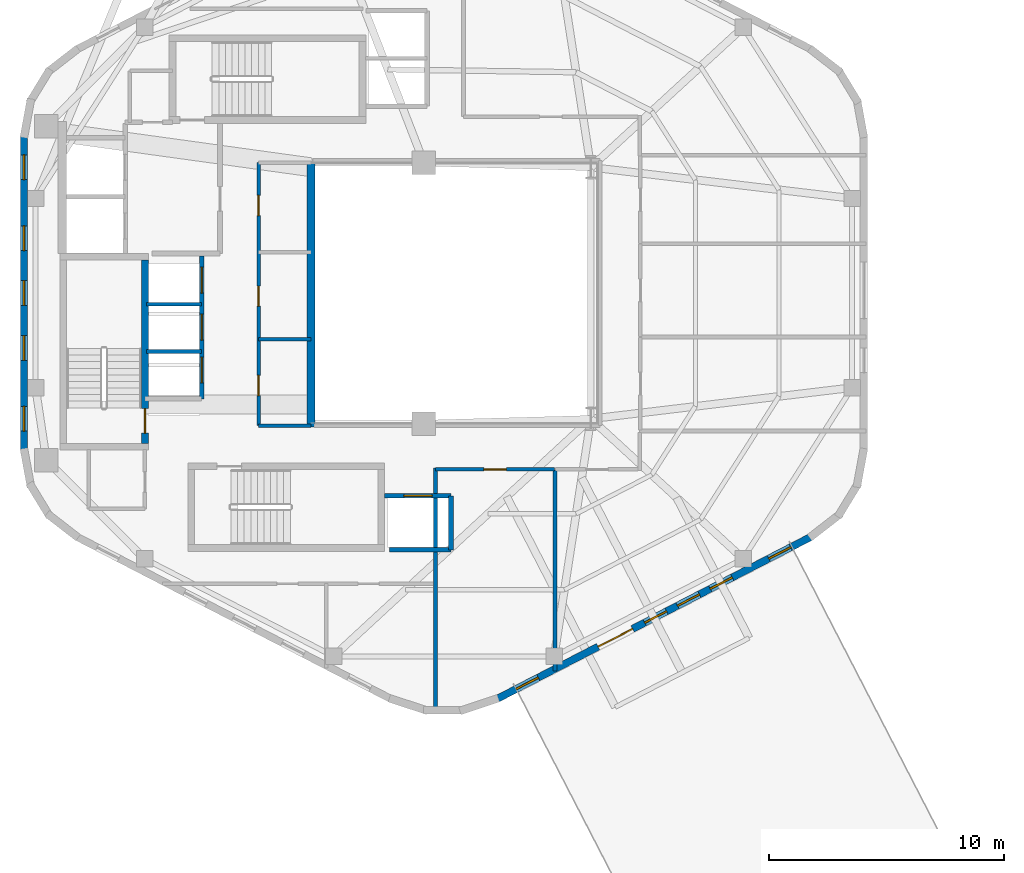
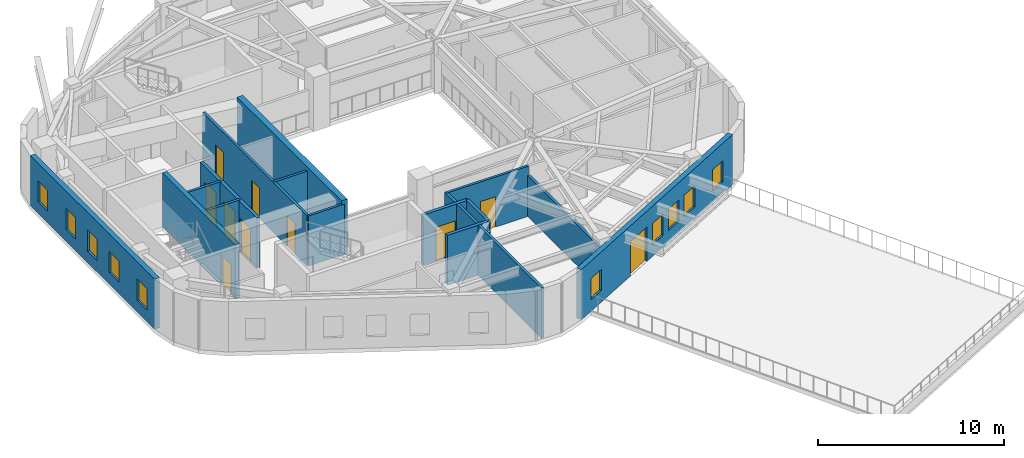
# One storey, part 3 of 8: 16 walls, 10 doors, 10 windows, 20 openings.
"""IFC4 building model written with IfcOpenShell, lengths in metres."""

from ifc_helpers import new_model, si_unit, direction, frame, frame_2d, origin, place, context, subcontext, project, spatial, rectangle, extrude, material, layer, layer_set, type_object, element, fill, save


model = new_model("IFC4")

# Units and contexts
model_context = context("Model", 3, precision=1e-05, world=origin(), true_north=direction((0.0, 1.0)))
body_context = subcontext(model_context, "Body", "Model", "MODEL_VIEW")
ifc_project = project(units=[si_unit("LENGTHUNIT", "METRE"), si_unit("AREAUNIT", "SQUARE_METRE"), si_unit("VOLUMEUNIT", "CUBIC_METRE"), si_unit("PLANEANGLEUNIT", "RADIAN"), si_unit("MASSUNIT", "GRAM", prefix="KILO"), si_unit("THERMODYNAMICTEMPERATUREUNIT", "KELVIN"), si_unit("POWERUNIT", "WATT")], contexts=[model_context])

# Site, building, storey
site_placement = place(None, origin())
site = spatial("IfcSite", under=ifc_project, at=site_placement, CompositionType="ELEMENT")
building_placement = place(site_placement, origin())
building = spatial("IfcBuilding", under=site, at=building_placement, Name="Skarre Station Tower", CompositionType="ELEMENT")
storey_placement = place(building_placement, frame((0.0, 0.0, 245.449951171875)))
storey = spatial("IfcBuildingStorey", under=building, at=storey_placement, Name="L67", CompositionType="ELEMENT", Elevation=245.449951171875)

# Wall
ifc_material_1 = material(Name="Acoustic Steel-Stud Gypsum Partition", Category="steel")
ifc_layer_1 = layer(ifc_material_1, 0.14990234375, Name="Acoustic Steel-Stud Gypsum Partition")
ifc_layer_set_1 = layer_set([ifc_layer_1], Name="Acoustic Steel-Stud Gypsum Partition")
wall_type_1 = type_object("IfcWallType", Name="Fire-Rated Corridor Acoustic Partition 150", PredefinedType="PARTITIONING", material=ifc_layer_set_1)
wall_1_placement = place(storey_placement, frame((25.320068359375, 22.0400390625, 0.0), z_axis=(0.0, 0.0, 1.0), x_axis=(1.0, 0.0, 0.0)))
element("IfcWall", 1, at=wall_1_placement, inside=storey, type_object=wall_type_1, Name="L67 Interior Partition WL-PT-L67-RC2-M1", PredefinedType="PARTITIONING", context=body_context, shape_type="SweptSolid", body=[
    extrude(rectangle(XDim=2.22998046875, YDim=0.14990234375, at=frame_2d((1.114990234375, 0.0))), origin(), (0.0, 0.0, 1.0), 3.2900390625),
])

# Wall, openings, doors
wall_2_placement = place(storey_placement, frame((25.320068359375, 29.550048828125, 0.0), z_axis=(0.0, 0.0, 1.0), x_axis=(0.0, -1.0, 0.0)))
wall_2 = element("IfcWall", 2, at=wall_2_placement, inside=storey, type_object=wall_type_1, Name="L67 Interior Partition WL-PT-L67-RC2-W", PredefinedType="PARTITIONING", context=body_context, shape_type="SweptSolid", body=[
    extrude(rectangle(XDim=11.18994140625, YDim=0.14990234375, at=frame_2d((5.594970703125, 0.0))), origin(), (0.0, 0.0, 1.0), 3.2900390625),
])
opening_1_placement = place(wall_2_placement, frame((1.39990234375, 0.0, 0.0)))
opening_1 = element("IfcOpeningElement", 3, at=opening_1_placement, cuts=wall_2, Name="Opening DR-SVC86", PredefinedType="OPENING", context=body_context, shape_type="SweptSolid", body=[
    extrude(rectangle(XDim=0.860107421875, YDim=2.0, at=frame_2d((0.43017578125, 1.0))), frame((0.0, 0.0849609375, 0.0), z_axis=(0.0, -1.0, 0.0), x_axis=(1.0, 0.0, 0.0)), (0.0, 0.0, 1.0), 0.169921875),
])
opening_2_placement = place(wall_2_placement, frame((5.25, 0.0, 0.0)))
opening_2 = element("IfcOpeningElement", 4, at=opening_2_placement, cuts=wall_2, Name="Opening DR-SVC86", PredefinedType="OPENING", context=body_context, shape_type="SweptSolid", body=[
    extrude(rectangle(XDim=0.860107421875, YDim=2.0, at=frame_2d((0.43017578125, 1.0))), frame((0.0, 0.0849609375, 0.0), z_axis=(0.0, -1.0, 0.0), x_axis=(1.0, 0.0, 0.0)), (0.0, 0.0, 1.0), 0.169921875),
])
opening_3_placement = place(wall_2_placement, frame((9.050048828125, 0.0, 0.0)))
opening_3 = element("IfcOpeningElement", 5, at=opening_3_placement, cuts=wall_2, Name="Opening DR-SVC86", PredefinedType="OPENING", context=body_context, shape_type="SweptSolid", body=[
    extrude(rectangle(XDim=0.860107421875, YDim=2.0, at=frame_2d((0.43017578125, 1.0))), frame((0.0, 0.0849609375, 0.0), z_axis=(0.0, -1.0, 0.0), x_axis=(1.0, 0.0, 0.0)), (0.0, 0.0, 1.0), 0.169921875),
])
ifc_material_2 = material(Name="Powder-Coated Hollow-Metal Acoustic Fire Leaf", Category="steel")
door_type_1 = type_object("IfcDoorType", Name="Compact Riser Fire Door FD60 860x2100", OperationType="SINGLE_SWING_LEFT", PredefinedType="DOOR", material=ifc_material_2)
door_1_placement = place(opening_1_placement, origin())
door_1 = element("IfcDoor", 6, at=door_1_placement, inside=storey, type_object=door_type_1, Name="L67 Housekeeping Storage Door", OperationType="SINGLE_SWING_LEFT", OverallHeight=2.0, OverallWidth=0.860107421875, PredefinedType="DOOR", context=body_context, shape_type="SweptSolid", body=[
    extrude(rectangle(XDim=0.860107421875, YDim=2.0, at=frame_2d((0.43017578125, 1.0))), frame((0.0, 0.02490234375, 0.0), z_axis=(0.0, -1.0, 0.0), x_axis=(1.0, 0.0, 0.0)), (0.0, 0.0, 1.0), 0.050048828125),
])
fill(opening_1, door_1)
door_2_placement = place(opening_2_placement, origin())
door_2 = element("IfcDoor", 7, at=door_2_placement, inside=storey, type_object=door_type_1, Name="L67 Core IT Room Door", OperationType="SINGLE_SWING_LEFT", OverallHeight=2.0, OverallWidth=0.860107421875, PredefinedType="DOOR", context=body_context, shape_type="SweptSolid", body=[
    extrude(rectangle(XDim=0.860107421875, YDim=2.0, at=frame_2d((0.43017578125, 1.0))), frame((0.0, 0.02490234375, 0.0), z_axis=(0.0, -1.0, 0.0), x_axis=(1.0, 0.0, 0.0)), (0.0, 0.0, 1.0), 0.050048828125),
])
fill(opening_2, door_2)
door_3_placement = place(opening_3_placement, origin())
door_3 = element("IfcDoor", 8, at=door_3_placement, inside=storey, type_object=door_type_1, Name="L67 Beverage Pantry Door", OperationType="SINGLE_SWING_LEFT", OverallHeight=2.0, OverallWidth=0.860107421875, PredefinedType="DOOR", context=body_context, shape_type="SweptSolid", body=[
    extrude(rectangle(XDim=0.860107421875, YDim=2.0, at=frame_2d((0.43017578125, 1.0))), frame((0.0, 0.02490234375, 0.0), z_axis=(0.0, -1.0, 0.0), x_axis=(1.0, 0.0, 0.0)), (0.0, 0.0, 1.0), 0.050048828125),
])
fill(opening_3, door_3)

# Wall
wall_3_placement = place(storey_placement, frame((25.320068359375, 18.360107421875, 0.0), z_axis=(0.0, 0.0, 1.0), x_axis=(1.0, 0.0, 0.0)))
element("IfcWall", 9, at=wall_3_placement, inside=storey, type_object=wall_type_1, Name="L67 Interior Partition WL-PT-L67-RC2-S", PredefinedType="PARTITIONING", context=body_context, shape_type="SweptSolid", body=[
    extrude(rectangle(XDim=2.22998046875, YDim=0.14990234375, at=frame_2d((1.114990234375, 0.0))), origin(), (0.0, 0.0, 1.0), 3.2900390625),
])

# Wall, opening, door
wall_4_placement = place(storey_placement, frame((32.85009765625, 16.5, 0.0), z_axis=(0.0, 0.0, 1.0), x_axis=(1.0, 0.0, 0.0)))
wall_4 = element("IfcWall", 10, at=wall_4_placement, inside=storey, type_object=wall_type_1, Name="L67 Interior Partition WL-PT-L67-SW1-CW", PredefinedType="PARTITIONING", context=body_context, shape_type="SweptSolid", body=[
    extrude(rectangle(XDim=5.060791015625, YDim=0.14990234375, at=frame_2d((2.5302734375, 0.0))), origin(), (0.0, 0.0, 1.0), 3.2900390625),
])
opening_4_placement = place(wall_4_placement, frame((2.051025390625, 0.0, 0.0)))
opening_4 = element("IfcOpeningElement", 11, at=opening_4_placement, cuts=wall_4, Name="Opening DR-FD60", PredefinedType="OPENING", context=body_context, shape_type="SweptSolid", body=[
    extrude(rectangle(XDim=0.9599609375, YDim=2.0, at=frame_2d((0.47998046875, 1.0))), frame((0.0, 0.0849609375, 0.0), z_axis=(0.0, -1.0, 0.0), x_axis=(1.0, 0.0, 0.0)), (0.0, 0.0, 1.0), 0.169921875),
])
ifc_material_3 = material(Name="Nordic White-Oak Veneer Solid-Core Fire Leaf", Category="wood")
door_type_2 = type_object("IfcDoorType", Name="Corridor Suite Entry Fire Door FD60 960x2150", OperationType="SINGLE_SWING_LEFT", PredefinedType="DOOR", material=ifc_material_3)
door_4_placement = place(opening_4_placement, origin())
door_4 = element("IfcDoor", 12, at=door_4_placement, inside=storey, type_object=door_type_2, Name="L67 SW1 Entry Door", OperationType="SINGLE_SWING_LEFT", OverallHeight=2.0, OverallWidth=0.9599609375, PredefinedType="DOOR", context=body_context, shape_type="SweptSolid", body=[
    extrude(rectangle(XDim=0.9599609375, YDim=2.0, at=frame_2d((0.47998046875, 1.0))), frame((0.0, 0.02490234375, 0.0), z_axis=(0.0, -1.0, 0.0), x_axis=(1.0, 0.0, 0.0)), (0.0, 0.0, 1.0), 0.050048828125),
])
fill(opening_4, door_4)

# Wall, openings, windows
ifc_material_4 = material(Name="Precast concrete C45/55", Category="concrete")
ifc_layer_2 = layer(ifc_material_4, 0.31005859375, Name="Precast concrete C45/55")
ifc_layer_set_2 = layer_set([ifc_layer_2], Name="Precast concrete C45/55")
wall_type_2 = type_object("IfcWallType", Name="Nordic Upper-Zone Precast Facet Wall 310", PredefinedType="STANDARD", material=ifc_layer_set_2)
wall_5_placement = place(storey_placement, frame((15.342041015625, 17.298095703125, 0.0), z_axis=(0.0, 0.0, 1.0), x_axis=(0.0, 1.0, 0.0)))
wall_5 = element("IfcWall", 13, at=wall_5_placement, inside=storey, type_object=wall_type_2, Name="L67 Facet 2 Nordic Precast Masonry Wall", PredefinedType="STANDARD", context=body_context, shape_type="SweptSolid", body=[
    extrude(rectangle(XDim=13.40380859375, YDim=0.31005859375, at=frame_2d((6.701904296875, 0.0))), origin(), (0.0, 0.0, 1.0), 3.2900390625),
])
opening_5_placement = place(wall_5_placement, frame((0.8310546875, 0.0, 0.75)))
opening_5 = element("IfcOpeningElement", 14, at=opening_5_placement, cuts=wall_5, Name="Opening WN-SLT", PredefinedType="OPENING", context=body_context, shape_type="SweptSolid", body=[
    extrude(rectangle(XDim=1.050048828125, YDim=1.39990234375, at=frame_2d((0.52490234375, 0.699951171875))), frame((0.0, 0.1650390625, 0.0), z_axis=(0.0, -1.0, 0.0), x_axis=(1.0, 0.0, 0.0)), (0.0, 0.0, 1.0), 0.330078125),
])
opening_6_placement = place(wall_5_placement, frame((3.843017578125, 0.0, 0.75)))
opening_6 = element("IfcOpeningElement", 15, at=opening_6_placement, cuts=wall_5, Name="Opening WN-SLT", PredefinedType="OPENING", context=body_context, shape_type="SweptSolid", body=[
    extrude(rectangle(XDim=1.050048828125, YDim=1.39990234375, at=frame_2d((0.52490234375, 0.699951171875))), frame((0.0, 0.1650390625, 0.0), z_axis=(0.0, -1.0, 0.0), x_axis=(1.0, 0.0, 0.0)), (0.0, 0.0, 1.0), 0.330078125),
])
opening_7_placement = place(wall_5_placement, frame((6.177001953125, 0.0, 0.75)))
opening_7 = element("IfcOpeningElement", 16, at=opening_7_placement, cuts=wall_5, Name="Opening WN-SLT", PredefinedType="OPENING", context=body_context, shape_type="SweptSolid", body=[
    extrude(rectangle(XDim=1.050048828125, YDim=1.39990234375, at=frame_2d((0.52490234375, 0.699951171875))), frame((0.0, 0.1650390625, 0.0), z_axis=(0.0, -1.0, 0.0), x_axis=(1.0, 0.0, 0.0)), (0.0, 0.0, 1.0), 0.330078125),
])
opening_8_placement = place(wall_5_placement, frame((8.510986328125, 0.0, 0.75)))
opening_8 = element("IfcOpeningElement", 17, at=opening_8_placement, cuts=wall_5, Name="Opening WN-SLT", PredefinedType="OPENING", context=body_context, shape_type="SweptSolid", body=[
    extrude(rectangle(XDim=1.050048828125, YDim=1.39990234375, at=frame_2d((0.52490234375, 0.699951171875))), frame((0.0, 0.1650390625, 0.0), z_axis=(0.0, -1.0, 0.0), x_axis=(1.0, 0.0, 0.0)), (0.0, 0.0, 1.0), 0.330078125),
])
opening_9_placement = place(wall_5_placement, frame((11.52392578125, 0.0, 0.75)))
opening_9 = element("IfcOpeningElement", 18, at=opening_9_placement, cuts=wall_5, Name="Opening WN-SLT", PredefinedType="OPENING", context=body_context, shape_type="SweptSolid", body=[
    extrude(rectangle(XDim=1.050048828125, YDim=1.39990234375, at=frame_2d((0.52490234375, 0.699951171875))), frame((0.0, 0.1650390625, 0.0), z_axis=(0.0, -1.0, 0.0), x_axis=(1.0, 0.0, 0.0)), (0.0, 0.0, 1.0), 0.330078125),
])
ifc_material_5 = material(Name="Low-Iron Triple Glazing with Bronze Anodized Frame", Category="glass")
window_type = type_object("IfcWindowType", Name="Nordic Corner Slot Window 1050x1400", PartitioningType="SINGLE_PANEL", PredefinedType="WINDOW", material=ifc_material_5)
window_1_placement = place(opening_5_placement, origin())
window_1 = element("IfcWindow", 19, at=window_1_placement, inside=storey, type_object=window_type, Name="L67 Facade Window WL-FAC-L67-F2-1", OverallHeight=1.39990234375, OverallWidth=1.050048828125, PartitioningType="SINGLE_PANEL", PredefinedType="WINDOW", context=body_context, shape_type="SweptSolid", body=[
    extrude(rectangle(XDim=1.050048828125, YDim=1.39990234375, at=frame_2d((0.52490234375, 0.699951171875))), frame((0.0, 0.030029296875, 0.0), z_axis=(0.0, -1.0, 0.0), x_axis=(1.0, 0.0, 0.0)), (0.0, 0.0, 1.0), 0.06005859375),
])
fill(opening_5, window_1)
window_2_placement = place(opening_6_placement, origin())
window_2 = element("IfcWindow", 20, at=window_2_placement, inside=storey, type_object=window_type, Name="L67 Facade Window WL-FAC-L67-F2-2", OverallHeight=1.39990234375, OverallWidth=1.050048828125, PartitioningType="SINGLE_PANEL", PredefinedType="WINDOW", context=body_context, shape_type="SweptSolid", body=[
    extrude(rectangle(XDim=1.050048828125, YDim=1.39990234375, at=frame_2d((0.52490234375, 0.699951171875))), frame((0.0, 0.030029296875, 0.0), z_axis=(0.0, -1.0, 0.0), x_axis=(1.0, 0.0, 0.0)), (0.0, 0.0, 1.0), 0.06005859375),
])
fill(opening_6, window_2)
window_3_placement = place(opening_7_placement, origin())
window_3 = element("IfcWindow", 21, at=window_3_placement, inside=storey, type_object=window_type, Name="L67 Facade Window WL-FAC-L67-F2-3", OverallHeight=1.39990234375, OverallWidth=1.050048828125, PartitioningType="SINGLE_PANEL", PredefinedType="WINDOW", context=body_context, shape_type="SweptSolid", body=[
    extrude(rectangle(XDim=1.050048828125, YDim=1.39990234375, at=frame_2d((0.52490234375, 0.699951171875))), frame((0.0, 0.030029296875, 0.0), z_axis=(0.0, -1.0, 0.0), x_axis=(1.0, 0.0, 0.0)), (0.0, 0.0, 1.0), 0.06005859375),
])
fill(opening_7, window_3)
window_4_placement = place(opening_8_placement, origin())
window_4 = element("IfcWindow", 22, at=window_4_placement, inside=storey, type_object=window_type, Name="L67 Facade Window WL-FAC-L67-F2-4", OverallHeight=1.39990234375, OverallWidth=1.050048828125, PartitioningType="SINGLE_PANEL", PredefinedType="WINDOW", context=body_context, shape_type="SweptSolid", body=[
    extrude(rectangle(XDim=1.050048828125, YDim=1.39990234375, at=frame_2d((0.52490234375, 0.699951171875))), frame((0.0, 0.030029296875, 0.0), z_axis=(0.0, -1.0, 0.0), x_axis=(1.0, 0.0, 0.0)), (0.0, 0.0, 1.0), 0.06005859375),
])
fill(opening_8, window_4)
window_5_placement = place(opening_9_placement, origin())
window_5 = element("IfcWindow", 23, at=window_5_placement, inside=storey, type_object=window_type, Name="L67 Facade Window WL-FAC-L67-F2-5", OverallHeight=1.39990234375, OverallWidth=1.050048828125, PartitioningType="SINGLE_PANEL", PredefinedType="WINDOW", context=body_context, shape_type="SweptSolid", body=[
    extrude(rectangle(XDim=1.050048828125, YDim=1.39990234375, at=frame_2d((0.52490234375, 0.699951171875))), frame((0.0, 0.030029296875, 0.0), z_axis=(0.0, -1.0, 0.0), x_axis=(1.0, 0.0, 0.0)), (0.0, 0.0, 1.0), 0.06005859375),
])
fill(opening_9, window_5)

# Wall, openings, windows, door
wall_6_placement = place(storey_placement, frame((48.833984375, 13.64599609375, 0.0), z_axis=(0.0, 0.0, 1.0), x_axis=(-0.888581481622, -0.458718814218, 0.0)))
wall_6 = element("IfcWall", 24, at=wall_6_placement, inside=storey, type_object=wall_type_2, Name="L67 Facet 4 Nordic Precast Masonry Wall", PredefinedType="STANDARD", context=body_context, shape_type="SweptSolid", body=[
    extrude(rectangle(XDim=15.076904296875, YDim=0.31005859375, at=frame_2d((7.53857421875, 0.0))), origin(), (0.0, 0.0, 1.0), 3.2900390625),
])
opening_10_placement = place(wall_6_placement, frame((8.56298828125, 0.0, 0.0)))
opening_10 = element("IfcOpeningElement", 25, at=opening_10_placement, cuts=wall_6, Name="Opening DR-SGD165", PredefinedType="OPENING", context=body_context, shape_type="SweptSolid", body=[
    extrude(rectangle(XDim=1.64990234375, YDim=2.25, at=frame_2d((0.824951171875, 1.125))), frame((0.0, 0.1650390625, 0.0), z_axis=(0.0, -1.0, 0.0), x_axis=(1.0, 0.0, 0.0)), (0.0, 0.0, 1.0), 0.330078125),
])
opening_11_placement = place(wall_6_placement, frame((0.998046875, 0.0, 0.75)))
opening_11 = element("IfcOpeningElement", 26, at=opening_11_placement, cuts=wall_6, Name="Opening WN-SLT", PredefinedType="OPENING", context=body_context, shape_type="SweptSolid", body=[
    extrude(rectangle(XDim=1.050048828125, YDim=1.39990234375, at=frame_2d((0.52490234375, 0.699951171875))), frame((0.0, 0.1650390625, 0.0), z_axis=(0.0, -1.0, 0.0), x_axis=(1.0, 0.0, 0.0)), (0.0, 0.0, 1.0), 0.330078125),
])
opening_12_placement = place(wall_6_placement, frame((3.7958984375, 0.0, 0.75)))
opening_12 = element("IfcOpeningElement", 27, at=opening_12_placement, cuts=wall_6, Name="Opening WN-SLT", PredefinedType="OPENING", context=body_context, shape_type="SweptSolid", body=[
    extrude(rectangle(XDim=1.050048828125, YDim=1.39990234375, at=frame_2d((0.52490234375, 0.699951171875))), frame((0.0, 0.1650390625, 0.0), z_axis=(0.0, -1.0, 0.0), x_axis=(1.0, 0.0, 0.0)), (0.0, 0.0, 1.0), 0.330078125),
])
opening_13_placement = place(wall_6_placement, frame((5.364990234375, 0.0, 0.75)))
opening_13 = element("IfcOpeningElement", 28, at=opening_13_placement, cuts=wall_6, Name="Opening WN-SLT", PredefinedType="OPENING", context=body_context, shape_type="SweptSolid", body=[
    extrude(rectangle(XDim=1.050048828125, YDim=1.39990234375, at=frame_2d((0.52490234375, 0.699951171875))), frame((0.0, 0.1650390625, 0.0), z_axis=(0.0, -1.0, 0.0), x_axis=(1.0, 0.0, 0.0)), (0.0, 0.0, 1.0), 0.330078125),
])
opening_14_placement = place(wall_6_placement, frame((6.93408203125, 0.0, 0.75)))
opening_14 = element("IfcOpeningElement", 29, at=opening_14_placement, cuts=wall_6, Name="Opening WN-SLT", PredefinedType="OPENING", context=body_context, shape_type="SweptSolid", body=[
    extrude(rectangle(XDim=1.050048828125, YDim=1.39990234375, at=frame_2d((0.52490234375, 0.699951171875))), frame((0.0, 0.1650390625, 0.0), z_axis=(0.0, -1.0, 0.0), x_axis=(1.0, 0.0, 0.0)), (0.0, 0.0, 1.0), 0.330078125),
])
opening_15_placement = place(wall_6_placement, frame((13.077880859375, 0.0, 0.75)))
opening_15 = element("IfcOpeningElement", 30, at=opening_15_placement, cuts=wall_6, Name="Opening WN-SLT", PredefinedType="OPENING", context=body_context, shape_type="SweptSolid", body=[
    extrude(rectangle(XDim=1.050048828125, YDim=1.39990234375, at=frame_2d((0.52490234375, 0.699951171875))), frame((0.0, 0.1650390625, 0.0), z_axis=(0.0, -1.0, 0.0), x_axis=(1.0, 0.0, 0.0)), (0.0, 0.0, 1.0), 0.330078125),
])
window_6_placement = place(opening_11_placement, origin())
window_6 = element("IfcWindow", 31, at=window_6_placement, inside=storey, type_object=window_type, Name="L67 Facade Window WL-FAC-L67-F4-1", OverallHeight=1.39990234375, OverallWidth=1.050048828125, PartitioningType="SINGLE_PANEL", PredefinedType="WINDOW", context=body_context, shape_type="SweptSolid", body=[
    extrude(rectangle(XDim=1.050048828125, YDim=1.39990234375, at=frame_2d((0.52490234375, 0.699951171875))), frame((0.0, 0.030029296875, 0.0), z_axis=(0.0, -1.0, 0.0), x_axis=(1.0, 0.0, 0.0)), (0.0, 0.0, 1.0), 0.06005859375),
])
fill(opening_11, window_6)
window_7_placement = place(opening_12_placement, origin())
window_7 = element("IfcWindow", 32, at=window_7_placement, inside=storey, type_object=window_type, Name="L67 Facade Window WL-FAC-L67-F4-2", OverallHeight=1.39990234375, OverallWidth=1.050048828125, PartitioningType="SINGLE_PANEL", PredefinedType="WINDOW", context=body_context, shape_type="SweptSolid", body=[
    extrude(rectangle(XDim=1.050048828125, YDim=1.39990234375, at=frame_2d((0.52490234375, 0.699951171875))), frame((0.0, 0.030029296875, 0.0), z_axis=(0.0, -1.0, 0.0), x_axis=(1.0, 0.0, 0.0)), (0.0, 0.0, 1.0), 0.06005859375),
])
fill(opening_12, window_7)
window_8_placement = place(opening_13_placement, origin())
window_8 = element("IfcWindow", 33, at=window_8_placement, inside=storey, type_object=window_type, Name="L67 Facade Window WL-FAC-L67-F4-3", OverallHeight=1.39990234375, OverallWidth=1.050048828125, PartitioningType="SINGLE_PANEL", PredefinedType="WINDOW", context=body_context, shape_type="SweptSolid", body=[
    extrude(rectangle(XDim=1.050048828125, YDim=1.39990234375, at=frame_2d((0.52490234375, 0.699951171875))), frame((0.0, 0.030029296875, 0.0), z_axis=(0.0, -1.0, 0.0), x_axis=(1.0, 0.0, 0.0)), (0.0, 0.0, 1.0), 0.06005859375),
])
fill(opening_13, window_8)
window_9_placement = place(opening_14_placement, origin())
window_9 = element("IfcWindow", 34, at=window_9_placement, inside=storey, type_object=window_type, Name="L67 Facade Window WL-FAC-L67-F4-4", OverallHeight=1.39990234375, OverallWidth=1.050048828125, PartitioningType="SINGLE_PANEL", PredefinedType="WINDOW", context=body_context, shape_type="SweptSolid", body=[
    extrude(rectangle(XDim=1.050048828125, YDim=1.39990234375, at=frame_2d((0.52490234375, 0.699951171875))), frame((0.0, 0.030029296875, 0.0), z_axis=(0.0, -1.0, 0.0), x_axis=(1.0, 0.0, 0.0)), (0.0, 0.0, 1.0), 0.06005859375),
])
fill(opening_14, window_9)
window_10_placement = place(opening_15_placement, origin())
window_10 = element("IfcWindow", 35, at=window_10_placement, inside=storey, type_object=window_type, Name="L67 Facade Window WL-FAC-L67-F4-5", OverallHeight=1.39990234375, OverallWidth=1.050048828125, PartitioningType="SINGLE_PANEL", PredefinedType="WINDOW", context=body_context, shape_type="SweptSolid", body=[
    extrude(rectangle(XDim=1.050048828125, YDim=1.39990234375, at=frame_2d((0.52490234375, 0.699951171875))), frame((0.0, 0.030029296875, 0.0), z_axis=(0.0, -1.0, 0.0), x_axis=(1.0, 0.0, 0.0)), (0.0, 0.0, 1.0), 0.06005859375),
])
fill(opening_15, window_10)
ifc_material_6 = material(Name="Thermally Broken Aluminium & Triple Glazing", Category="aluminium")
door_type_3 = type_object("IfcDoorType", Name="Sky-Garden Double Glazed Terrace Door 1650x2250", OperationType="DOUBLE_DOOR_SINGLE_SWING", PredefinedType="DOOR", material=ifc_material_6)
door_5_placement = place(opening_10_placement, origin())
door_5 = element("IfcDoor", 36, at=door_5_placement, inside=storey, type_object=door_type_3, Name="L67 SB-5 Roof Terrace Access Door", OperationType="SINGLE_SWING_LEFT", OverallHeight=2.25, OverallWidth=1.64990234375, PredefinedType="DOOR", context=body_context, shape_type="SweptSolid", body=[
    extrude(rectangle(XDim=1.64990234375, YDim=2.25, at=frame_2d((0.824951171875, 1.125))), frame((0.0, 0.02490234375, 0.0), z_axis=(0.0, -1.0, 0.0), x_axis=(1.0, 0.0, 0.0)), (0.0, 0.0, 1.0), 0.050048828125),
])
fill(opening_10, door_5)

# Wall, opening, door
ifc_material_7 = material(Name="Concrete C50/60", Category="concrete")
ifc_layer_3 = layer(ifc_material_7, 0.280029296875, Name="Concrete C50/60")
ifc_layer_set_3 = layer_set([ifc_layer_3], Name="Concrete C50/60")
wall_type_3 = type_object("IfcWallType", Name="RC Core Shear Wall 280", PredefinedType="SHEAR", material=ifc_layer_set_3)
wall_7_placement = place(storey_placement, frame((20.489990234375, 17.60009765625, 0.0), z_axis=(0.0, 0.0, 1.0), x_axis=(0.0, 1.0, 0.0)))
wall_7 = element("IfcWall", 37, at=wall_7_placement, inside=storey, type_object=wall_type_3, Name="L67 Stair ST-1 East Shear Wall", PredefinedType="SHEAR", context=body_context, shape_type="SweptSolid", body=[
    extrude(rectangle(XDim=7.7998046875, YDim=0.280029296875, at=frame_2d((3.89990234375, 0.0))), origin(), (0.0, 0.0, 1.0), 3.550048828125),
])
opening_16_placement = place(wall_7_placement, frame((0.43994140625, 0.0, 0.0)))
opening_16 = element("IfcOpeningElement", 38, at=opening_16_placement, cuts=wall_7, Name="Opening DR-FD90", PredefinedType="OPENING", context=body_context, shape_type="SweptSolid", body=[
    extrude(rectangle(XDim=1.050048828125, YDim=2.0, at=frame_2d((0.52490234375, 1.0))), frame((0.0, 0.14990234375, 0.0), z_axis=(0.0, -1.0, 0.0), x_axis=(1.0, 0.0, 0.0)), (0.0, 0.0, 1.0), 0.300048828125),
])
ifc_material_8 = material(Name="Fire-Rated Insulated Steel Frame & Timber Core Leaf", Category="steel")
door_type_4 = type_object("IfcDoorType", Name="Stair & FSAE Lobby Fire Door FD90 1050x2150", OperationType="SINGLE_SWING_RIGHT", PredefinedType="DOOR", material=ifc_material_8)
door_6_placement = place(opening_16_placement, origin())
door_6 = element("IfcDoor", 39, at=door_6_placement, inside=storey, type_object=door_type_4, Name="L67 Stair ST-1 Exit Door", OperationType="SINGLE_SWING_RIGHT", OverallHeight=2.0, OverallWidth=1.050048828125, PredefinedType="DOOR", context=body_context, shape_type="SweptSolid", body=[
    extrude(rectangle(XDim=1.050048828125, YDim=2.0, at=frame_2d((0.52490234375, 1.0))), frame((0.0, 0.02490234375, 0.0), z_axis=(0.0, -1.0, 0.0), x_axis=(1.0, 0.0, 0.0)), (0.0, 0.0, 1.0), 0.050048828125),
])
fill(opening_16, door_6)

# Wall
ifc_layer_4 = layer(ifc_material_7, 0.360107421875, Name="Concrete C50/60")
ifc_layer_set_4 = layer_set([ifc_layer_4], Name="Concrete C50/60")
wall_type_4 = type_object("IfcWallType", Name="RC Core Shear Wall 360", PredefinedType="SHEAR", material=ifc_layer_set_4)
wall_8_placement = place(storey_placement, frame((27.550048828125, 29.550048828125, 0.0), z_axis=(0.0, 0.0, 1.0), x_axis=(0.0, -1.0, 0.0)))
element("IfcWall", 40, at=wall_8_placement, inside=storey, type_object=wall_type_4, Name="L67 Core East Atrium Shear Wall", PredefinedType="SHEAR", context=body_context, shape_type="SweptSolid", body=[
    extrude(rectangle(XDim=11.25, YDim=0.360107421875, at=frame_2d((5.625, 0.0))), origin(), (0.0, 0.0, 1.0), 3.550048828125),
])

# Wall, opening, door
ifc_material_9 = material(Name="Gypsum Concrete Shaft Assembly C30/37", Category="concrete")
ifc_layer_5 = layer(ifc_material_9, 0.199951171875, Name="Gypsum Concrete Shaft Assembly C30/37")
ifc_layer_set_5 = layer_set([ifc_layer_5], Name="Gypsum Concrete Shaft Assembly C30/37")
wall_type_5 = type_object("IfcWallType", Name="Shaft & Core Fire Partition 200", PredefinedType="PARTITIONING", material=ifc_layer_set_5)
wall_9_placement = place(storey_placement, frame((33.5, 15.3798828125, 0.0), z_axis=(0.0, 0.0, 1.0), x_axis=(-1.0, 0.0, 0.0)))
wall_9 = element("IfcWall", 41, at=wall_9_placement, inside=storey, type_object=wall_type_5, Name="L67 Interior Partition WL-PT-L67-SV1-N", PredefinedType="PARTITIONING", context=body_context, shape_type="SweptSolid", body=[
    extrude(rectangle(XDim=2.820068359375, YDim=0.199951171875, at=frame_2d((1.41015625, 0.0))), origin(), (0.0, 0.0, 1.0), 3.2900390625),
])
opening_17_placement = place(wall_9_placement, frame((0.800048828125, 0.0, 0.0)))
opening_17 = element("IfcOpeningElement", 42, at=opening_17_placement, cuts=wall_9, Name="Opening LD-SV1", PredefinedType="OPENING", context=body_context, shape_type="SweptSolid", body=[
    extrude(rectangle(XDim=1.199951171875, YDim=2.199951171875, at=frame_2d((0.60009765625, 1.10009765625))), frame((0.0, 0.10986328125, 0.0), z_axis=(0.0, -1.0, 0.0), x_axis=(1.0, 0.0, 0.0)), (0.0, 0.0, 1.0), 0.219970703125),
])
ifc_material_10 = material(Name="Heavy-Gauge Brushed Stainless Steel Sliding Leaves", Category="steel")
door_type_5 = type_object("IfcDoorType", Name="Service Elevator Wide Sliding Landing Door 1200x2200", OperationType="SLIDING_TO_RIGHT", PredefinedType="DOOR", material=ifc_material_10)
door_7_placement = place(opening_17_placement, origin())
door_7 = element("IfcDoor", 43, at=door_7_placement, inside=storey, type_object=door_type_5, Name="L67 Service Lift LF-SV1 Landing Door", OperationType="SLIDING_TO_RIGHT", OverallHeight=2.199951171875, OverallWidth=1.199951171875, PredefinedType="DOOR", context=body_context, shape_type="SweptSolid", body=[
    extrude(rectangle(XDim=1.199951171875, YDim=2.199951171875, at=frame_2d((0.60009765625, 1.10009765625))), frame((0.0, 0.02490234375, 0.0), z_axis=(0.0, -1.0, 0.0), x_axis=(1.0, 0.0, 0.0)), (0.0, 0.0, 1.0), 0.050048828125),
])
fill(opening_17, door_7)

# Walls
wall_10_placement = place(storey_placement, frame((33.5, 13.080078125, 0.0), z_axis=(0.0, 0.0, 1.0), x_axis=(0.0, 1.0, 0.0)))
element("IfcWall", 44, at=wall_10_placement, inside=storey, type_object=wall_type_5, Name="L67 Interior Partition WL-PT-L67-SV1-E", PredefinedType="PARTITIONING", context=body_context, shape_type="SweptSolid", body=[
    extrude(rectangle(XDim=2.2998046875, YDim=0.199951171875, at=frame_2d((1.14990234375, 0.0))), origin(), (0.0, 0.0, 1.0), 3.2900390625),
])
wall_11_placement = place(storey_placement, frame((30.87890625, 13.080078125, 0.0), z_axis=(0.0, 0.0, 1.0), x_axis=(1.0, 0.0, 0.0)))
element("IfcWall", 45, at=wall_11_placement, inside=storey, type_object=wall_type_5, Name="L67 Interior Partition WL-PT-L67-SV1-S", PredefinedType="PARTITIONING", context=body_context, shape_type="SweptSolid", body=[
    extrude(rectangle(XDim=2.62109375, YDim=0.199951171875, at=frame_2d((1.310546875, 0.0))), origin(), (0.0, 0.0, 1.0), 3.2900390625),
])

# Wall, openings, doors
wall_12_placement = place(storey_placement, frame((22.89990234375, 19.5, 0.0), z_axis=(0.0, 0.0, 1.0), x_axis=(0.0, 1.0, 0.0)))
wall_12 = element("IfcWall", 46, at=wall_12_placement, inside=storey, type_object=wall_type_5, Name="L67 Interior Partition WL-PT-L67-B3-E", PredefinedType="PARTITIONING", context=body_context, shape_type="SweptSolid", body=[
    extrude(rectangle(XDim=6.0849609375, YDim=0.199951171875, at=frame_2d((3.04248046875, 0.0))), origin(), (0.0, 0.0, 1.0), 3.2900390625),
])
opening_18_placement = place(wall_12_placement, frame((0.679931640625, 0.0, 0.0)))
opening_18 = element("IfcOpeningElement", 47, at=opening_18_placement, cuts=wall_12, Name="Opening LD-P7", PredefinedType="OPENING", context=body_context, shape_type="SweptSolid", body=[
    extrude(rectangle(XDim=1.10009765625, YDim=2.199951171875, at=frame_2d((0.550048828125, 1.10009765625))), frame((0.0, 0.10986328125, 0.0), z_axis=(0.0, -1.0, 0.0), x_axis=(1.0, 0.0, 0.0)), (0.0, 0.0, 1.0), 0.219970703125),
])
opening_19_placement = place(wall_12_placement, frame((2.5, 0.0, 0.0)))
opening_19 = element("IfcOpeningElement", 48, at=opening_19_placement, cuts=wall_12, Name="Opening LD-P8", PredefinedType="OPENING", context=body_context, shape_type="SweptSolid", body=[
    extrude(rectangle(XDim=1.10009765625, YDim=2.199951171875, at=frame_2d((0.550048828125, 1.10009765625))), frame((0.0, 0.10986328125, 0.0), z_axis=(0.0, -1.0, 0.0), x_axis=(1.0, 0.0, 0.0)), (0.0, 0.0, 1.0), 0.219970703125),
])
opening_20_placement = place(wall_12_placement, frame((4.5, 0.0, 0.0)))
opening_20 = element("IfcOpeningElement", 49, at=opening_20_placement, cuts=wall_12, Name="Opening LD-P9", PredefinedType="OPENING", context=body_context, shape_type="SweptSolid", body=[
    extrude(rectangle(XDim=1.10009765625, YDim=2.199951171875, at=frame_2d((0.550048828125, 1.10009765625))), frame((0.0, 0.10986328125, 0.0), z_axis=(0.0, -1.0, 0.0), x_axis=(1.0, 0.0, 0.0)), (0.0, 0.0, 1.0), 0.219970703125),
])
ifc_material_11 = material(Name="Brushed Bronze Stainless Steel Sliding Leaves", Category="steel")
door_type_6 = type_object("IfcDoorType", Name="Passenger Elevator Center-Parting Sliding Door 1100x2200", OperationType="SLIDING_TO_LEFT", PredefinedType="DOOR", material=ifc_material_11)
door_8_placement = place(opening_18_placement, origin())
door_8 = element("IfcDoor", 50, at=door_8_placement, inside=storey, type_object=door_type_6, Name="L67 Passenger Lift LF-P7 Landing Door", OperationType="SLIDING_TO_LEFT", OverallHeight=2.199951171875, OverallWidth=1.10009765625, PredefinedType="DOOR", context=body_context, shape_type="SweptSolid", body=[
    extrude(rectangle(XDim=1.10009765625, YDim=2.199951171875, at=frame_2d((0.550048828125, 1.10009765625))), frame((0.0, 0.02490234375, 0.0), z_axis=(0.0, -1.0, 0.0), x_axis=(1.0, 0.0, 0.0)), (0.0, 0.0, 1.0), 0.050048828125),
])
fill(opening_18, door_8)
door_9_placement = place(opening_19_placement, origin())
door_9 = element("IfcDoor", 51, at=door_9_placement, inside=storey, type_object=door_type_6, Name="L67 Passenger Lift LF-P8 Landing Door", OperationType="SLIDING_TO_LEFT", OverallHeight=2.199951171875, OverallWidth=1.10009765625, PredefinedType="DOOR", context=body_context, shape_type="SweptSolid", body=[
    extrude(rectangle(XDim=1.10009765625, YDim=2.199951171875, at=frame_2d((0.550048828125, 1.10009765625))), frame((0.0, 0.02490234375, 0.0), z_axis=(0.0, -1.0, 0.0), x_axis=(1.0, 0.0, 0.0)), (0.0, 0.0, 1.0), 0.050048828125),
])
fill(opening_19, door_9)
door_10_placement = place(opening_20_placement, origin())
door_10 = element("IfcDoor", 52, at=door_10_placement, inside=storey, type_object=door_type_6, Name="L67 Passenger Lift LF-P9 Landing Door", OperationType="SLIDING_TO_LEFT", OverallHeight=2.199951171875, OverallWidth=1.10009765625, PredefinedType="DOOR", context=body_context, shape_type="SweptSolid", body=[
    extrude(rectangle(XDim=1.10009765625, YDim=2.199951171875, at=frame_2d((0.550048828125, 1.10009765625))), frame((0.0, 0.02490234375, 0.0), z_axis=(0.0, -1.0, 0.0), x_axis=(1.0, 0.0, 0.0)), (0.0, 0.0, 1.0), 0.050048828125),
])
fill(opening_20, door_10)

# Walls
for number, where, z_axis, x_axis, name in (
    (53, (20.550048828125, 21.52001953125, 0.0), (0.0, 0.0, 1.0), (1.0, 0.0, 0.0), "L67 Interior Partition WL-PT-L67-B3-D1"),
    (54, (20.550048828125, 23.52001953125, 0.0), (0.0, 0.0, 1.0), (1.0, 0.0, 0.0), "L67 Interior Partition WL-PT-L67-B3-D2"),
):
    element("IfcWall", number, at=place(storey_placement, frame(where, z_axis=z_axis, x_axis=x_axis)), inside=storey, type_object=wall_type_5, Name=name, PredefinedType="PARTITIONING", context=body_context, shape_type="SweptSolid", body=[
        extrude(rectangle(XDim=2.349853515625, YDim=0.159912109375, at=frame_2d((1.1748046875, 0.0))), origin(), (0.0, 0.0, 1.0), 3.2900390625),
    ])
ifc_layer_6 = layer(ifc_material_1, 0.1650390625, Name="Acoustic Steel-Stud Gypsum Partition")
ifc_layer_set_6 = layer_set([ifc_layer_6], Name="Acoustic Steel-Stud Gypsum Partition")
wall_type_6 = type_object("IfcWallType", Name="Suite Demising Acoustic Partition 165", PredefinedType="PARTITIONING", material=ifc_layer_set_6)
wall_13_placement = place(storey_placement, frame((32.85009765625, 6.154052734375, 0.0), z_axis=(0.0, 0.0, 1.0), x_axis=(0.0, 1.0, 0.0)))
element("IfcWall", 55, at=wall_13_placement, inside=storey, type_object=wall_type_6, Name="L67 Interior Partition WL-PT-L67-SWP-E", PredefinedType="PARTITIONING", context=body_context, shape_type="SweptSolid", body=[
    extrude(rectangle(XDim=10.416015625, YDim=0.1650390625, at=frame_2d((5.2080078125, 0.0))), origin(), (0.0, 0.0, 1.0), 3.2900390625),
])
wall_14_placement = place(storey_placement, frame((37.928955078125, 7.9208984375, 0.0), z_axis=(0.0, 0.0, 1.0), x_axis=(0.0, 1.0, 0.0)))
element("IfcWall", 56, at=wall_14_placement, inside=storey, type_object=wall_type_6, Name="L67 Interior Partition WL-PT-L67-SW-P1", PredefinedType="PARTITIONING", context=body_context, shape_type="SweptSolid", body=[
    extrude(rectangle(XDim=8.549072265625, YDim=0.1650390625, at=frame_2d((4.2744140625, 0.0))), origin(), (0.0, 0.0, 1.0), 2.678955078125),
])

save(model, "model.ifc")
